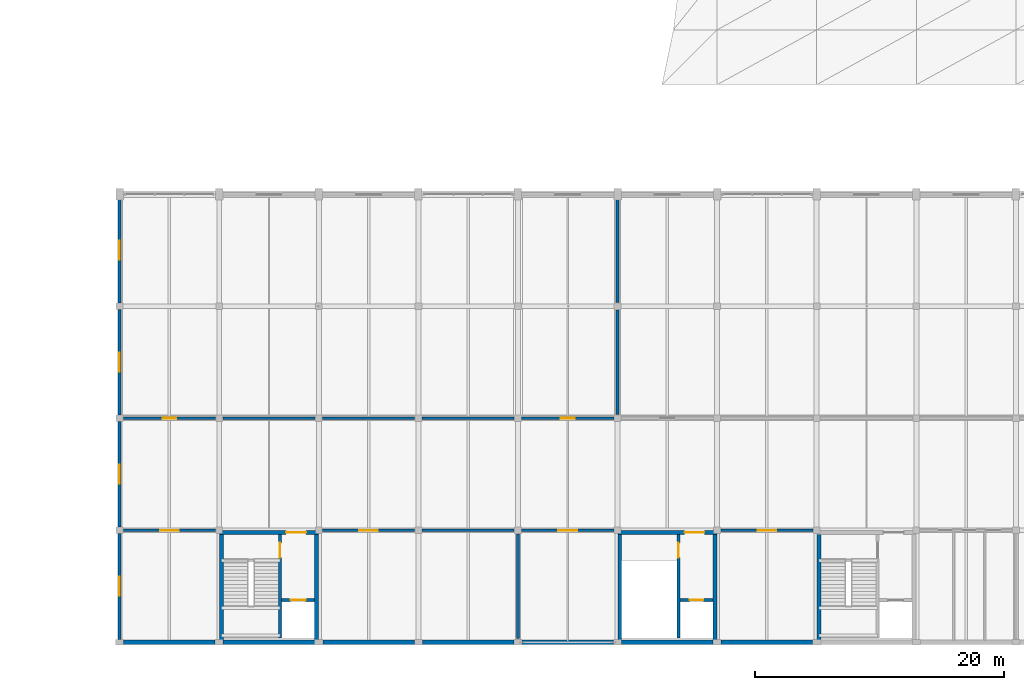
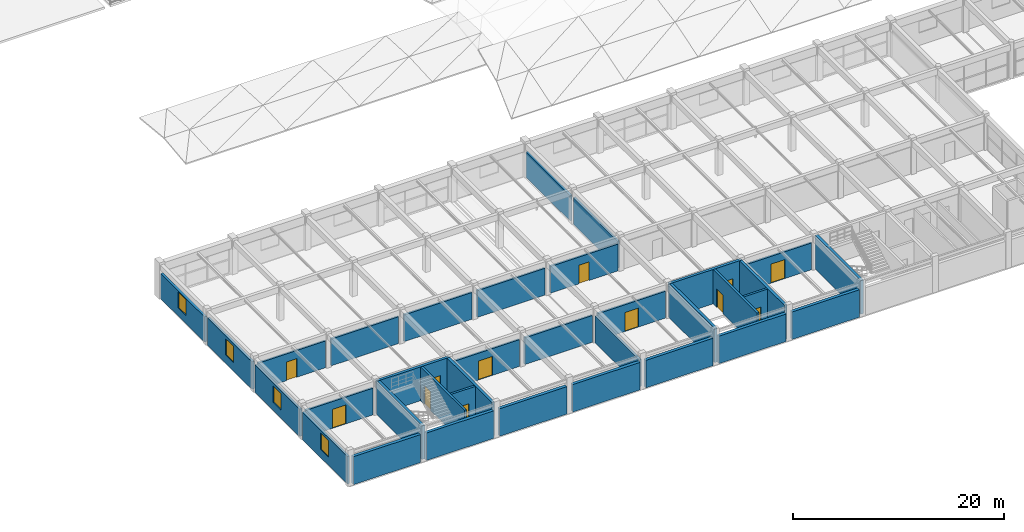
# One storey, part 43 of 63: 35 walls, 12 doors, 4 windows, 16 openings.
"""IFC4 building model written with IfcOpenShell, lengths in metres."""

from ifc_helpers import new_model, si_unit, direction, frame, frame_2d, origin, place, context, subcontext, project, spatial, rectangle, extrude, material, layer, layer_set, type_object, element, fill, save


model = new_model("IFC4")

# Units and contexts
model_context = context("Model", 3, precision=1e-05, world=origin(), true_north=direction((0.0, 1.0)))
body_context = subcontext(model_context, "Body", "Model", "MODEL_VIEW")
ifc_project = project(units=[si_unit("LENGTHUNIT", "METRE"), si_unit("AREAUNIT", "SQUARE_METRE"), si_unit("VOLUMEUNIT", "CUBIC_METRE"), si_unit("PLANEANGLEUNIT", "RADIAN"), si_unit("MASSUNIT", "GRAM", prefix="KILO")], contexts=[model_context])

# Site, building, storey
site_placement = place(None, origin())
site = spatial("IfcSite", under=ifc_project, at=site_placement, CompositionType="ELEMENT")
building_placement = place(site_placement, origin())
building = spatial("IfcBuilding", under=site, at=building_placement, Name="Varnabhumi Central Station", CompositionType="ELEMENT")
storey_placement = place(building_placement, frame((0.0, 0.0, 20.39990234375)))
storey = spatial("IfcBuildingStorey", under=building, at=storey_placement, Name="L04", CompositionType="ELEMENT", Elevation=20.39990234375)

# Wall, opening, door
ifc_material_1 = material(Name="Autoclaved aerated blockwork masonry", Category="masonry")
ifc_layer_1 = layer(ifc_material_1, 0.219970703125, Name="Autoclaved aerated blockwork masonry", Category="masonry")
ifc_layer_set_1 = layer_set([ifc_layer_1], Name="Autoclaved aerated blockwork masonry")
wall_type_1 = type_object("IfcWallType", Name="WAL-COMP-AAC-220", PredefinedType="SOLIDWALL", material=ifc_layer_set_1)
wall_1_placement = place(storey_placement, frame((32.300048828125, 18.0, 0.0), z_axis=(0.0, 0.0, 1.0), x_axis=(1.0, 0.0, 0.0)))
wall_1 = element("IfcWall", 1, at=wall_1_placement, inside=storey, type_object=wall_type_1, Name="Electronic Interlocking and Station Kavach Relay Room Corridor Partition 1", PredefinedType="SOLIDWALL", context=body_context, shape_type="SweptSolid", body=[
    extrude(rectangle(XDim=7.39990234375, YDim=0.219970703125, at=frame_2d((3.699951171875, 0.0))), origin(), (0.0, 0.0, 1.0), 3.10009765625),
])
opening_1_placement = place(wall_1_placement, frame((3.14990234375, 0.0, 0.0)))
opening_1 = element("IfcOpeningElement", 2, at=opening_1_placement, cuts=wall_1, Name="Opening FD-60", PredefinedType="OPENING", context=body_context, shape_type="SweptSolid", body=[
    extrude(rectangle(XDim=1.10009765625, YDim=2.14990234375, at=frame_2d((0.550048828125, 1.074951171875))), frame((0.0, 0.119873046875, 0.0), z_axis=(0.0, -1.0, 0.0), x_axis=(1.0, 0.0, 0.0)), (0.0, 0.0, 1.0), 0.239990234375),
])
ifc_material_2 = material(Name="Intumescent-treated hardwood timber", Category="wood")
door_type_1 = type_object("IfcDoorType", Name="DR-FIRE-60-1100", OperationType="NOTDEFINED", PredefinedType="DOOR", material=ifc_material_2)
door_1_placement = place(opening_1_placement, frame((1.10009765625, 0.0, 0.0), z_axis=(0.0, 0.0, 1.0), x_axis=(-1.0, 0.0, 0.0)))
door_1 = element("IfcDoor", 3, at=door_1_placement, inside=storey, type_object=door_type_1, Name="Electronic Interlocking and Station Kavach Relay Room Door 1", OperationType="SINGLE_SWING_RIGHT", OverallHeight=2.14990234375, OverallWidth=1.10009765625, PredefinedType="DOOR", context=body_context, shape_type="SweptSolid", body=[
    extrude(rectangle(XDim=1.10009765625, YDim=2.14990234375, at=frame_2d((0.550048828125, 1.074951171875))), frame((0.0, 0.02490234375, 0.0), z_axis=(0.0, -1.0, 0.0), x_axis=(1.0, 0.0, 0.0)), (0.0, 0.0, 1.0), 0.050048828125),
])
fill(opening_1, door_1)

# Walls
for number, where, z_axis, x_axis, name in (
    (4, (40.300048828125, 18.0, 0.0), (0.0, 0.0, 1.0), (1.0, 0.0, 0.0), "Electronic Interlocking and Station Kavach Relay Room Corridor Partition 2"),
    (5, (48.300048828125, 18.0, 0.0), (0.0, 0.0, 1.0), (1.0, 0.0, 0.0), "Electronic Interlocking and Station Kavach Relay Room Corridor Partition 3"),
    (6, (56.300048828125, 18.0, 0.0), (0.0, 0.0, 1.0), (1.0, 0.0, 0.0), "Electronic Interlocking and Station Kavach Relay Room Corridor Partition 4"),
):
    element("IfcWall", number, at=place(storey_placement, frame(where, z_axis=z_axis, x_axis=x_axis)), inside=storey, type_object=wall_type_1, Name=name, PredefinedType="SOLIDWALL", context=body_context, shape_type="SweptSolid", body=[
        extrude(rectangle(XDim=7.39990234375, YDim=0.219970703125, at=frame_2d((3.699951171875, 0.0))), origin(), (0.0, 0.0, 1.0), 3.10009765625),
    ])

# Wall, opening, door
wall_2_placement = place(storey_placement, frame((64.300048828125, 18.0, 0.0), z_axis=(0.0, 0.0, 1.0), x_axis=(1.0, 0.0, 0.0)))
wall_2 = element("IfcWall", 7, at=wall_2_placement, inside=storey, type_object=wall_type_1, Name="Electronic Interlocking and Station Kavach Relay Room Corridor Partition 5", PredefinedType="SOLIDWALL", context=body_context, shape_type="SweptSolid", body=[
    extrude(rectangle(XDim=7.39990234375, YDim=0.219970703125, at=frame_2d((3.699951171875, 0.0))), origin(), (0.0, 0.0, 1.0), 3.10009765625),
])
opening_2_placement = place(wall_2_placement, frame((3.14990234375, 0.0, 0.0)))
opening_2 = element("IfcOpeningElement", 8, at=opening_2_placement, cuts=wall_2, Name="Opening FD-60", PredefinedType="OPENING", context=body_context, shape_type="SweptSolid", body=[
    extrude(rectangle(XDim=1.10009765625, YDim=2.14990234375, at=frame_2d((0.550048828125, 1.074951171875))), frame((0.0, 0.119873046875, 0.0), z_axis=(0.0, -1.0, 0.0), x_axis=(1.0, 0.0, 0.0)), (0.0, 0.0, 1.0), 0.239990234375),
])
door_2_placement = place(opening_2_placement, frame((1.10009765625, 0.0, 0.0), z_axis=(0.0, 0.0, 1.0), x_axis=(-1.0, 0.0, 0.0)))
door_2 = element("IfcDoor", 9, at=door_2_placement, inside=storey, type_object=door_type_1, Name="Electronic Interlocking and Station Kavach Relay Room Door 5", OperationType="SINGLE_SWING_LEFT", OverallHeight=2.14990234375, OverallWidth=1.10009765625, PredefinedType="DOOR", context=body_context, shape_type="SweptSolid", body=[
    extrude(rectangle(XDim=1.10009765625, YDim=2.14990234375, at=frame_2d((0.550048828125, 1.074951171875))), frame((0.0, 0.02490234375, 0.0), z_axis=(0.0, -1.0, 0.0), x_axis=(1.0, 0.0, 0.0)), (0.0, 0.0, 1.0), 0.050048828125),
])
fill(opening_2, door_2)

# Walls
wall_3_placement = place(storey_placement, frame((72.0, 18.300048828125, 0.0), z_axis=(0.0, 0.0, 1.0), x_axis=(0.0, 1.0, 0.0)))
element("IfcWall", 10, at=wall_3_placement, inside=storey, type_object=wall_type_1, Name="Electronic Interlocking and Station Kavach Relay Room W Partition 1", PredefinedType="SOLIDWALL", context=body_context, shape_type="SweptSolid", body=[
    extrude(rectangle(XDim=8.39990234375, YDim=0.219970703125, at=frame_2d((4.199951171875, 0.0))), origin(), (0.0, 0.0, 1.0), 3.10009765625),
])
wall_4_placement = place(storey_placement, frame((72.0, 27.300048828125, 0.0), z_axis=(0.0, 0.0, 1.0), x_axis=(0.0, 1.0, 0.0)))
element("IfcWall", 11, at=wall_4_placement, inside=storey, type_object=wall_type_1, Name="Electronic Interlocking and Station Kavach Relay Room W Partition 2", PredefinedType="SOLIDWALL", context=body_context, shape_type="SweptSolid", body=[
    extrude(rectangle(XDim=8.39990234375, YDim=0.219970703125, at=frame_2d((4.199951171875, 0.0))), origin(), (0.0, 0.0, 1.0), 2.93017578125),
])

# Wall, opening, door
wall_5_placement = place(storey_placement, frame((32.300048828125, 9.0, 0.0), z_axis=(0.0, 0.0, 1.0), x_axis=(1.0, 0.0, 0.0)))
wall_5 = element("IfcWall", 12, at=wall_5_placement, inside=storey, type_object=wall_type_1, Name="Precision Signalling Cooling Plant Room Corridor Partition 1", PredefinedType="SOLIDWALL", context=body_context, shape_type="SweptSolid", body=[
    extrude(rectangle(XDim=7.39990234375, YDim=0.219970703125, at=frame_2d((3.699951171875, 0.0))), origin(), (0.0, 0.0, 1.0), 3.10009765625),
])
opening_3_placement = place(wall_5_placement, frame((2.949951171875, 0.0, 0.0)))
opening_3 = element("IfcOpeningElement", 13, at=opening_3_placement, cuts=wall_5, Name="Opening FD-PLT", PredefinedType="OPENING", context=body_context, shape_type="SweptSolid", body=[
    extrude(rectangle(XDim=1.5, YDim=2.199951171875, at=frame_2d((0.75, 1.10009765625))), frame((0.0, 0.119873046875, 0.0), z_axis=(0.0, -1.0, 0.0), x_axis=(1.0, 0.0, 0.0)), (0.0, 0.0, 1.0), 0.239990234375),
])
ifc_material_3 = material(Name="Stainless steel Grade 316", Category="steel")
door_type_2 = type_object("IfcDoorType", Name="DR-PLANT-1500", OperationType="NOTDEFINED", PredefinedType="DOOR", material=ifc_material_3)
door_3_placement = place(opening_3_placement, origin())
door_3 = element("IfcDoor", 14, at=door_3_placement, inside=storey, type_object=door_type_2, Name="Precision Signalling Cooling Plant Room Door 1", OperationType="SINGLE_SWING_RIGHT", OverallHeight=2.199951171875, OverallWidth=1.5, PredefinedType="DOOR", context=body_context, shape_type="SweptSolid", body=[
    extrude(rectangle(XDim=1.5, YDim=2.199951171875, at=frame_2d((0.75, 1.10009765625))), frame((0.0, 0.02490234375, 0.0), z_axis=(0.0, -1.0, 0.0), x_axis=(1.0, 0.0, 0.0)), (0.0, 0.0, 1.0), 0.050048828125),
])
fill(opening_3, door_3)

wall_6_placement = place(storey_placement, frame((80.300048828125, 9.0, 0.0), z_axis=(0.0, 0.0, 1.0), x_axis=(1.0, 0.0, 0.0)))
wall_6 = element("IfcWall", 15, at=wall_6_placement, inside=storey, type_object=wall_type_1, Name="Signalling Dual-Bus UPS and Battery Room Corridor Partition 1", PredefinedType="SOLIDWALL", context=body_context, shape_type="SweptSolid", body=[
    extrude(rectangle(XDim=7.39990234375, YDim=0.219970703125, at=frame_2d((3.699951171875, 0.0))), origin(), (0.0, 0.0, 1.0), 3.10009765625),
])
opening_4_placement = place(wall_6_placement, frame((2.949951171875, 0.0, 0.0)))
opening_4 = element("IfcOpeningElement", 16, at=opening_4_placement, cuts=wall_6, Name="Opening FD-PLT", PredefinedType="OPENING", context=body_context, shape_type="SweptSolid", body=[
    extrude(rectangle(XDim=1.5, YDim=2.199951171875, at=frame_2d((0.75, 1.10009765625))), frame((0.0, 0.119873046875, 0.0), z_axis=(0.0, -1.0, 0.0), x_axis=(1.0, 0.0, 0.0)), (0.0, 0.0, 1.0), 0.239990234375),
])
door_4_placement = place(opening_4_placement, origin())
door_4 = element("IfcDoor", 17, at=door_4_placement, inside=storey, type_object=door_type_2, Name="Signalling Dual-Bus UPS and Battery Room Door 1", OperationType="SINGLE_SWING_LEFT", OverallHeight=2.199951171875, OverallWidth=1.5, PredefinedType="DOOR", context=body_context, shape_type="SweptSolid", body=[
    extrude(rectangle(XDim=1.5, YDim=2.199951171875, at=frame_2d((0.75, 1.10009765625))), frame((0.0, 0.02490234375, 0.0), z_axis=(0.0, -1.0, 0.0), x_axis=(1.0, 0.0, 0.0)), (0.0, 0.0, 1.0), 0.050048828125),
])
fill(opening_4, door_4)

wall_7_placement = place(storey_placement, frame((48.300048828125, 9.0, 0.0), z_axis=(0.0, 0.0, 1.0), x_axis=(1.0, 0.0, 0.0)))
wall_7 = element("IfcWall", 18, at=wall_7_placement, inside=storey, type_object=wall_type_1, Name="Signalling Charger and Rectifier Room Corridor Partition 1", PredefinedType="SOLIDWALL", context=body_context, shape_type="SweptSolid", body=[
    extrude(rectangle(XDim=7.39990234375, YDim=0.219970703125, at=frame_2d((3.699951171875, 0.0))), origin(), (0.0, 0.0, 1.0), 3.10009765625),
])
opening_5_placement = place(wall_7_placement, frame((2.949951171875, 0.0, 0.0)))
opening_5 = element("IfcOpeningElement", 19, at=opening_5_placement, cuts=wall_7, Name="Opening FD-PLT", PredefinedType="OPENING", context=body_context, shape_type="SweptSolid", body=[
    extrude(rectangle(XDim=1.5, YDim=2.199951171875, at=frame_2d((0.75, 1.10009765625))), frame((0.0, 0.119873046875, 0.0), z_axis=(0.0, -1.0, 0.0), x_axis=(1.0, 0.0, 0.0)), (0.0, 0.0, 1.0), 0.239990234375),
])
door_5_placement = place(opening_5_placement, origin())
door_5 = element("IfcDoor", 20, at=door_5_placement, inside=storey, type_object=door_type_2, Name="Signalling Charger and Rectifier Room Door 1", OperationType="SINGLE_SWING_RIGHT", OverallHeight=2.199951171875, OverallWidth=1.5, PredefinedType="DOOR", context=body_context, shape_type="SweptSolid", body=[
    extrude(rectangle(XDim=1.5, YDim=2.199951171875, at=frame_2d((0.75, 1.10009765625))), frame((0.0, 0.02490234375, 0.0), z_axis=(0.0, -1.0, 0.0), x_axis=(1.0, 0.0, 0.0)), (0.0, 0.0, 1.0), 0.050048828125),
])
fill(opening_5, door_5)

# Walls
wall_8_placement = place(storey_placement, frame((56.300048828125, 9.0, 0.0), z_axis=(0.0, 0.0, 1.0), x_axis=(1.0, 0.0, 0.0)))
element("IfcWall", 21, at=wall_8_placement, inside=storey, type_object=wall_type_1, Name="Signalling Charger and Rectifier Room Corridor Partition 2", PredefinedType="SOLIDWALL", context=body_context, shape_type="SweptSolid", body=[
    extrude(rectangle(XDim=7.39990234375, YDim=0.219970703125, at=frame_2d((3.699951171875, 0.0))), origin(), (0.0, 0.0, 1.0), 3.10009765625),
])
wall_9_placement = place(storey_placement, frame((64.0, 0.300048828125, 0.0), z_axis=(0.0, 0.0, 1.0), x_axis=(0.0, 1.0, 0.0)))
element("IfcWall", 22, at=wall_9_placement, inside=storey, type_object=wall_type_1, Name="Signalling Charger and Rectifier Room W Partition 1", PredefinedType="SOLIDWALL", context=body_context, shape_type="SweptSolid", body=[
    extrude(rectangle(XDim=8.39990234375, YDim=0.219970703125, at=frame_2d((4.199951171875, 0.0))), origin(), (0.0, 0.0, 1.0), 3.10009765625),
])

# Wall, opening, door
wall_10_placement = place(storey_placement, frame((64.300048828125, 9.0, 0.0), z_axis=(0.0, 0.0, 1.0), x_axis=(1.0, 0.0, 0.0)))
wall_10 = element("IfcWall", 23, at=wall_10_placement, inside=storey, type_object=wall_type_1, Name="Signalling Static Transfer Switch Room Corridor Partition 1", PredefinedType="SOLIDWALL", context=body_context, shape_type="SweptSolid", body=[
    extrude(rectangle(XDim=7.39990234375, YDim=0.219970703125, at=frame_2d((3.699951171875, 0.0))), origin(), (0.0, 0.0, 1.0), 3.10009765625),
])
opening_6_placement = place(wall_10_placement, frame((2.949951171875, 0.0, 0.0)))
opening_6 = element("IfcOpeningElement", 24, at=opening_6_placement, cuts=wall_10, Name="Opening FD-PLT", PredefinedType="OPENING", context=body_context, shape_type="SweptSolid", body=[
    extrude(rectangle(XDim=1.5, YDim=2.199951171875, at=frame_2d((0.75, 1.10009765625))), frame((0.0, 0.119873046875, 0.0), z_axis=(0.0, -1.0, 0.0), x_axis=(1.0, 0.0, 0.0)), (0.0, 0.0, 1.0), 0.239990234375),
])
door_6_placement = place(opening_6_placement, origin())
door_6 = element("IfcDoor", 25, at=door_6_placement, inside=storey, type_object=door_type_2, Name="Signalling Static Transfer Switch Room Door 1", OperationType="SINGLE_SWING_LEFT", OverallHeight=2.199951171875, OverallWidth=1.5, PredefinedType="DOOR", context=body_context, shape_type="SweptSolid", body=[
    extrude(rectangle(XDim=1.5, YDim=2.199951171875, at=frame_2d((0.75, 1.10009765625))), frame((0.0, 0.02490234375, 0.0), z_axis=(0.0, -1.0, 0.0), x_axis=(1.0, 0.0, 0.0)), (0.0, 0.0, 1.0), 0.050048828125),
])
fill(opening_6, door_6)

# Walls
ifc_material_4 = material(Name="Concrete M40", Category="concrete")
ifc_layer_2 = layer(ifc_material_4, 0.300048828125, Name="Concrete M40", Category="concrete")
ifc_layer_set_2 = layer_set([ifc_layer_2], Name="Concrete M40")
wall_type_2 = type_object("IfcWallType", Name="WAL-CORE-RC-300", PredefinedType="SHEAR", material=ifc_layer_set_2)
for number, where, z_axis, x_axis, name in (
    (26, (40.179931640625, 0.179931640625, 0.0), (0.0, 0.0, 1.0), (0.0, 1.0, 0.0), "SC1 L04 West Shear Wall"),
    (27, (47.820068359375, 0.179931640625, 0.0), (0.0, 0.0, 1.0), (0.0, 1.0, 0.0), "SC1 L04 East Shear Wall"),
):
    element("IfcWall", number, at=place(storey_placement, frame(where, z_axis=z_axis, x_axis=x_axis)), inside=storey, type_object=wall_type_2, Name=name, PredefinedType="SHEAR", context=body_context, shape_type="SweptSolid", body=[
        extrude(rectangle(XDim=8.64013671875, YDim=0.300048828125, at=frame_2d((4.320068359375, 0.0))), origin(), (0.0, 0.0, 1.0), 3.920166015625),
    ])

# Wall, opening, door
wall_11_placement = place(storey_placement, frame((40.030029296875, 8.820068359375, 0.0), z_axis=(0.0, 0.0, 1.0), x_axis=(1.0, 0.0, 0.0)))
wall_11 = element("IfcWall", 28, at=wall_11_placement, inside=storey, type_object=wall_type_2, Name="SC1 L04 Corridor Shear Wall", PredefinedType="SHEAR", context=body_context, shape_type="SweptSolid", body=[
    extrude(rectangle(XDim=7.93994140625, YDim=0.300048828125, at=frame_2d((3.969970703125, 0.0))), origin(), (0.0, 0.0, 1.0), 3.920166015625),
])
opening_7_placement = place(wall_11_placement, frame((5.35009765625, 0.0, 0.0)))
opening_7 = element("IfcOpeningElement", 29, at=opening_7_placement, cuts=wall_11, Name="Opening FD-60D", PredefinedType="OPENING", context=body_context, shape_type="SweptSolid", body=[
    extrude(rectangle(XDim=1.60009765625, YDim=2.14990234375, at=frame_2d((0.800048828125, 1.074951171875))), frame((0.0, 0.159912109375, 0.0), z_axis=(0.0, -1.0, 0.0), x_axis=(1.0, 0.0, 0.0)), (0.0, 0.0, 1.0), 0.320068359375),
])
door_type_3 = type_object("IfcDoorType", Name="DR-FIRE-60-1600", OperationType="NOTDEFINED", PredefinedType="DOOR", material=ifc_material_2)
door_7_placement = place(opening_7_placement, origin())
door_7 = element("IfcDoor", 30, at=door_7_placement, inside=storey, type_object=door_type_3, Name="SC1 L04 Lobby Fire Door", OperationType="DOUBLE_DOOR_SINGLE_SWING", OverallHeight=2.14990234375, OverallWidth=1.60009765625, PredefinedType="DOOR", context=body_context, shape_type="SweptSolid", body=[
    extrude(rectangle(XDim=1.60009765625, YDim=2.14990234375, at=frame_2d((0.800048828125, 1.074951171875))), frame((0.0, 0.02490234375, 0.0), z_axis=(0.0, -1.0, 0.0), x_axis=(1.0, 0.0, 0.0)), (0.0, 0.0, 1.0), 0.050048828125),
])
fill(opening_7, door_7)

# Walls
wall_12_placement = place(storey_placement, frame((88.179931640625, 0.179931640625, 0.0), z_axis=(0.0, 0.0, 1.0), x_axis=(0.0, 1.0, 0.0)))
element("IfcWall", 31, at=wall_12_placement, inside=storey, type_object=wall_type_2, Name="SC2 L04 West Shear Wall", PredefinedType="SHEAR", context=body_context, shape_type="SweptSolid", body=[
    extrude(rectangle(XDim=8.64013671875, YDim=0.300048828125, at=frame_2d((4.320068359375, 0.0))), origin(), (0.0, 0.0, 1.0), 3.920166015625),
])
for number, where, z_axis, x_axis, name in (
    (32, (72.179931640625, 0.179931640625, 0.0), (0.0, 0.0, 1.0), (0.0, 1.0, 0.0), "SC4 L04 West Shear Wall"),
    (33, (79.820068359375, 0.179931640625, 0.0), (0.0, 0.0, 1.0), (0.0, 1.0, 0.0), "SC4 L04 East Shear Wall"),
):
    element("IfcWall", number, at=place(storey_placement, frame(where, z_axis=z_axis, x_axis=x_axis)), inside=storey, type_object=wall_type_2, Name=name, PredefinedType="SHEAR", context=body_context, shape_type="SweptSolid", body=[
        extrude(rectangle(XDim=8.64013671875, YDim=0.300048828125, at=frame_2d((4.320068359375, 0.0))), origin(), (0.0, 0.0, 1.0), 3.97998046875),
    ])

# Wall, opening, door
wall_13_placement = place(storey_placement, frame((72.030029296875, 8.820068359375, 0.0), z_axis=(0.0, 0.0, 1.0), x_axis=(1.0, 0.0, 0.0)))
wall_13 = element("IfcWall", 34, at=wall_13_placement, inside=storey, type_object=wall_type_2, Name="SC4 L04 Corridor Shear Wall", PredefinedType="SHEAR", context=body_context, shape_type="SweptSolid", body=[
    extrude(rectangle(XDim=7.93994140625, YDim=0.300048828125, at=frame_2d((3.969970703125, 0.0))), origin(), (0.0, 0.0, 1.0), 3.97998046875),
])
opening_8_placement = place(wall_13_placement, frame((5.35009765625, 0.0, 0.0)))
opening_8 = element("IfcOpeningElement", 35, at=opening_8_placement, cuts=wall_13, Name="Opening FD-60D", PredefinedType="OPENING", context=body_context, shape_type="SweptSolid", body=[
    extrude(rectangle(XDim=1.60009765625, YDim=2.14990234375, at=frame_2d((0.800048828125, 1.074951171875))), frame((0.0, 0.159912109375, 0.0), z_axis=(0.0, -1.0, 0.0), x_axis=(1.0, 0.0, 0.0)), (0.0, 0.0, 1.0), 0.320068359375),
])
door_8_placement = place(opening_8_placement, origin())
door_8 = element("IfcDoor", 36, at=door_8_placement, inside=storey, type_object=door_type_3, Name="SC4 L04 Lobby Fire Door", OperationType="DOUBLE_DOOR_SINGLE_SWING", OverallHeight=2.14990234375, OverallWidth=1.60009765625, PredefinedType="DOOR", context=body_context, shape_type="SweptSolid", body=[
    extrude(rectangle(XDim=1.60009765625, YDim=2.14990234375, at=frame_2d((0.800048828125, 1.074951171875))), frame((0.0, 0.02490234375, 0.0), z_axis=(0.0, -1.0, 0.0), x_axis=(1.0, 0.0, 0.0)), (0.0, 0.0, 1.0), 0.050048828125),
])
fill(opening_8, door_8)

# Wall, opening, window
ifc_layer_3 = layer(ifc_material_1, 0.260009765625, Name="Autoclaved aerated blockwork masonry", Category="masonry")
ifc_layer_set_3 = layer_set([ifc_layer_3], Name="Autoclaved aerated blockwork masonry")
wall_type_3 = type_object("IfcWallType", Name="WAL-EXT-STUCCO-260", PredefinedType="SOLIDWALL", material=ifc_layer_set_3)
wall_14_placement = place(storey_placement, frame((32.0, 0.219970703125, 0.0), z_axis=(0.0, 0.0, 1.0), x_axis=(0.0, 1.0, 0.0)))
wall_14 = element("IfcWall", 37, at=wall_14_placement, inside=storey, type_object=wall_type_3, Name="South Wing E End Wall L04-1", PredefinedType="SOLIDWALL", context=body_context, shape_type="SweptSolid", body=[
    extrude(rectangle(XDim=8.510009765625, YDim=0.260009765625, at=frame_2d((4.2548828125, 0.0))), origin(), (0.0, 0.0, 1.0), 3.18017578125),
])
opening_9_placement = place(wall_14_placement, frame((3.530029296875, 0.0, 0.949951171875)))
opening_9 = element("IfcOpeningElement", 38, at=opening_9_placement, cuts=wall_14, Name="Opening W-07", PredefinedType="OPENING", context=body_context, shape_type="SweptSolid", body=[
    extrude(rectangle(XDim=1.5, YDim=1.89990234375, at=frame_2d((0.75, 0.949951171875))), frame((0.0, 0.139892578125, 0.0), z_axis=(0.0, -1.0, 0.0), x_axis=(1.0, 0.0, 0.0)), (0.0, 0.0, 1.0), 0.280029296875),
])
ifc_material_5 = material(Name="Laminated low-E double glazing", Category="glass")
window_type = type_object("IfcWindowType", Name="WIN-OPS-1500x1900", PartitioningType="SINGLE_PANEL", PredefinedType="WINDOW", material=ifc_material_5)
window_1_placement = place(opening_9_placement, origin())
window_1 = element("IfcWindow", 39, at=window_1_placement, inside=storey, type_object=window_type, Name="South E Window L04-1", OverallHeight=1.89990234375, OverallWidth=1.5, PartitioningType="SINGLE_PANEL", PredefinedType="WINDOW", context=body_context, shape_type="SweptSolid", body=[
    extrude(rectangle(XDim=1.5, YDim=1.89990234375, at=frame_2d((0.75, 0.949951171875))), frame((0.0, 0.030029296875, 0.0), z_axis=(0.0, -1.0, 0.0), x_axis=(1.0, 0.0, 0.0)), (0.0, 0.0, 1.0), 0.06005859375),
])
fill(opening_9, window_1)

wall_15_placement = place(storey_placement, frame((32.0, 9.27001953125, 0.0), z_axis=(0.0, 0.0, 1.0), x_axis=(0.0, 1.0, 0.0)))
wall_15 = element("IfcWall", 40, at=wall_15_placement, inside=storey, type_object=wall_type_3, Name="South Wing E End Wall L04-2", PredefinedType="SOLIDWALL", context=body_context, shape_type="SweptSolid", body=[
    extrude(rectangle(XDim=8.4599609375, YDim=0.260009765625, at=frame_2d((4.22998046875, 0.0))), origin(), (0.0, 0.0, 1.0), 3.18017578125),
])
opening_10_placement = place(wall_15_placement, frame((3.47998046875, 0.0, 0.949951171875)))
opening_10 = element("IfcOpeningElement", 41, at=opening_10_placement, cuts=wall_15, Name="Opening W-07", PredefinedType="OPENING", context=body_context, shape_type="SweptSolid", body=[
    extrude(rectangle(XDim=1.5, YDim=1.89990234375, at=frame_2d((0.75, 0.949951171875))), frame((0.0, 0.139892578125, 0.0), z_axis=(0.0, -1.0, 0.0), x_axis=(1.0, 0.0, 0.0)), (0.0, 0.0, 1.0), 0.280029296875),
])
window_2_placement = place(opening_10_placement, origin())
window_2 = element("IfcWindow", 42, at=window_2_placement, inside=storey, type_object=window_type, Name="South E Window L04-2", OverallHeight=1.89990234375, OverallWidth=1.5, PartitioningType="SINGLE_PANEL", PredefinedType="WINDOW", context=body_context, shape_type="SweptSolid", body=[
    extrude(rectangle(XDim=1.5, YDim=1.89990234375, at=frame_2d((0.75, 0.949951171875))), frame((0.0, 0.030029296875, 0.0), z_axis=(0.0, -1.0, 0.0), x_axis=(1.0, 0.0, 0.0)), (0.0, 0.0, 1.0), 0.06005859375),
])
fill(opening_10, window_2)

wall_16_placement = place(storey_placement, frame((32.0, 18.27001953125, 0.0), z_axis=(0.0, 0.0, 1.0), x_axis=(0.0, 1.0, 0.0)))
wall_16 = element("IfcWall", 43, at=wall_16_placement, inside=storey, type_object=wall_type_3, Name="South Wing E End Wall L04-3", PredefinedType="SOLIDWALL", context=body_context, shape_type="SweptSolid", body=[
    extrude(rectangle(XDim=8.4599609375, YDim=0.260009765625, at=frame_2d((4.22998046875, 0.0))), origin(), (0.0, 0.0, 1.0), 3.18017578125),
])
opening_11_placement = place(wall_16_placement, frame((3.47998046875, 0.0, 0.949951171875)))
opening_11 = element("IfcOpeningElement", 44, at=opening_11_placement, cuts=wall_16, Name="Opening W-07", PredefinedType="OPENING", context=body_context, shape_type="SweptSolid", body=[
    extrude(rectangle(XDim=1.5, YDim=1.89990234375, at=frame_2d((0.75, 0.949951171875))), frame((0.0, 0.139892578125, 0.0), z_axis=(0.0, -1.0, 0.0), x_axis=(1.0, 0.0, 0.0)), (0.0, 0.0, 1.0), 0.280029296875),
])
window_3_placement = place(opening_11_placement, origin())
window_3 = element("IfcWindow", 45, at=window_3_placement, inside=storey, type_object=window_type, Name="South E Window L04-3", OverallHeight=1.89990234375, OverallWidth=1.5, PartitioningType="SINGLE_PANEL", PredefinedType="WINDOW", context=body_context, shape_type="SweptSolid", body=[
    extrude(rectangle(XDim=1.5, YDim=1.89990234375, at=frame_2d((0.75, 0.949951171875))), frame((0.0, 0.030029296875, 0.0), z_axis=(0.0, -1.0, 0.0), x_axis=(1.0, 0.0, 0.0)), (0.0, 0.0, 1.0), 0.06005859375),
])
fill(opening_11, window_3)

wall_17_placement = place(storey_placement, frame((32.0, 27.27001953125, 0.0), z_axis=(0.0, 0.0, 1.0), x_axis=(0.0, 1.0, 0.0)))
wall_17 = element("IfcWall", 46, at=wall_17_placement, inside=storey, type_object=wall_type_3, Name="South Wing E End Wall L04-4", PredefinedType="SOLIDWALL", context=body_context, shape_type="SweptSolid", body=[
    extrude(rectangle(XDim=8.330078125, YDim=0.260009765625, at=frame_2d((4.1650390625, 0.0))), origin(), (0.0, 0.0, 1.0), 2.93017578125),
])
opening_12_placement = place(wall_17_placement, frame((3.47998046875, 0.0, 0.949951171875)))
opening_12 = element("IfcOpeningElement", 47, at=opening_12_placement, cuts=wall_17, Name="Opening W-07", PredefinedType="OPENING", context=body_context, shape_type="SweptSolid", body=[
    extrude(rectangle(XDim=1.5, YDim=1.840087890625, at=frame_2d((0.75, 0.919921875))), frame((0.0, 0.139892578125, 0.0), z_axis=(0.0, -1.0, 0.0), x_axis=(1.0, 0.0, 0.0)), (0.0, 0.0, 1.0), 0.280029296875),
])
window_4_placement = place(opening_12_placement, origin())
window_4 = element("IfcWindow", 48, at=window_4_placement, inside=storey, type_object=window_type, Name="South E Window L04-4", OverallHeight=1.840087890625, OverallWidth=1.5, PartitioningType="SINGLE_PANEL", PredefinedType="WINDOW", context=body_context, shape_type="SweptSolid", body=[
    extrude(rectangle(XDim=1.5, YDim=1.840087890625, at=frame_2d((0.75, 0.919921875))), frame((0.0, 0.030029296875, 0.0), z_axis=(0.0, -1.0, 0.0), x_axis=(1.0, 0.0, 0.0)), (0.0, 0.0, 1.0), 0.06005859375),
])
fill(opening_12, window_4)

# Wall, opening, door
ifc_layer_4 = layer(ifc_material_4, 0.239990234375, Name="Concrete M40", Category="concrete")
ifc_layer_set_4 = layer_set([ifc_layer_4], Name="Concrete M40")
wall_type_4 = type_object("IfcWallType", Name="WAL-SHAFT-RC-240", PredefinedType="SHEAR", material=ifc_layer_set_4)
wall_18_placement = place(storey_placement, frame((44.89990234375, 0.35009765625, 0.0), z_axis=(0.0, 0.0, 1.0), x_axis=(0.0, 1.0, 0.0)))
wall_18 = element("IfcWall", 49, at=wall_18_placement, inside=storey, type_object=wall_type_4, Name="SC1 L04 Stair-Lobby Divider Wall", PredefinedType="SHEAR", context=body_context, shape_type="SweptSolid", body=[
    extrude(rectangle(XDim=8.2998046875, YDim=0.239990234375, at=frame_2d((4.14990234375, 0.0))), origin(), (0.0, 0.0, 1.0), 3.920166015625),
])
opening_13_placement = place(wall_18_placement, frame((6.449951171875, 0.0, 0.0)))
opening_13 = element("IfcOpeningElement", 50, at=opening_13_placement, cuts=wall_18, Name="Opening FD-120", PredefinedType="OPENING", context=body_context, shape_type="SweptSolid", body=[
    extrude(rectangle(XDim=1.199951171875, YDim=2.14990234375, at=frame_2d((0.60009765625, 1.074951171875))), frame((0.0, 0.1298828125, 0.0), z_axis=(0.0, -1.0, 0.0), x_axis=(1.0, 0.0, 0.0)), (0.0, 0.0, 1.0), 0.260009765625),
])
door_type_4 = type_object("IfcDoorType", Name="DR-FIRE-120-1200", OperationType="NOTDEFINED", PredefinedType="DOOR", material=ifc_material_3)
door_9_placement = place(opening_13_placement, frame((1.199951171875, 0.0, 0.0), z_axis=(0.0, 0.0, 1.0), x_axis=(-1.0, 0.0, 0.0)))
door_9 = element("IfcDoor", 51, at=door_9_placement, inside=storey, type_object=door_type_4, Name="ST-S1 L04 Fire Door", OperationType="SINGLE_SWING_LEFT", OverallHeight=2.14990234375, OverallWidth=1.199951171875, PredefinedType="DOOR", context=body_context, shape_type="SweptSolid", body=[
    extrude(rectangle(XDim=1.199951171875, YDim=2.14990234375, at=frame_2d((0.60009765625, 1.074951171875))), frame((0.0, 0.02490234375, 0.0), z_axis=(0.0, -1.0, 0.0), x_axis=(1.0, 0.0, 0.0)), (0.0, 0.0, 1.0), 0.050048828125),
])
fill(opening_13, door_9)

wall_19_placement = place(storey_placement, frame((45.02001953125, 3.39990234375, 0.0), z_axis=(0.0, 0.0, 1.0), x_axis=(1.0, 0.0, 0.0)))
wall_19 = element("IfcWall", 52, at=wall_19_placement, inside=storey, type_object=wall_type_4, Name="FL-1 L04 Lift Shaft Front Wall", PredefinedType="SHEAR", context=body_context, shape_type="SweptSolid", body=[
    extrude(rectangle(XDim=2.6298828125, YDim=0.239990234375, at=frame_2d((1.31494140625, 0.0))), origin(), (0.0, 0.0, 1.0), 3.920166015625),
])
opening_14_placement = place(wall_19_placement, frame((0.715087890625, 0.0, 0.0)))
opening_14 = element("IfcOpeningElement", 53, at=opening_14_placement, cuts=wall_19, Name="Opening LD-FL-1", PredefinedType="OPENING", context=body_context, shape_type="SweptSolid", body=[
    extrude(rectangle(XDim=1.199951171875, YDim=2.14990234375, at=frame_2d((0.60009765625, 1.074951171875))), frame((0.0, 0.1298828125, 0.0), z_axis=(0.0, -1.0, 0.0), x_axis=(1.0, 0.0, 0.0)), (0.0, 0.0, 1.0), 0.260009765625),
])
door_type_5 = type_object("IfcDoorType", Name="DR-LIFT-FIRE-1200", OperationType="NOTDEFINED", PredefinedType="DOOR", material=ifc_material_3)
door_10_placement = place(opening_14_placement, origin())
door_10 = element("IfcDoor", 54, at=door_10_placement, inside=storey, type_object=door_type_5, Name="Lift Landing Door FL-1 L04", OperationType="DOUBLE_DOOR_SLIDING", OverallHeight=2.14990234375, OverallWidth=1.199951171875, PredefinedType="DOOR", context=body_context, shape_type="SweptSolid", body=[
    extrude(rectangle(XDim=1.199951171875, YDim=2.14990234375, at=frame_2d((0.60009765625, 1.074951171875))), frame((0.0, 0.02490234375, 0.0), z_axis=(0.0, -1.0, 0.0), x_axis=(1.0, 0.0, 0.0)), (0.0, 0.0, 1.0), 0.050048828125),
])
fill(opening_14, door_10)

wall_20_placement = place(storey_placement, frame((76.89990234375, 0.35009765625, 0.0), z_axis=(0.0, 0.0, 1.0), x_axis=(0.0, 1.0, 0.0)))
wall_20 = element("IfcWall", 55, at=wall_20_placement, inside=storey, type_object=wall_type_4, Name="SC4 L04 Stair-Lobby Divider Wall", PredefinedType="SHEAR", context=body_context, shape_type="SweptSolid", body=[
    extrude(rectangle(XDim=8.2998046875, YDim=0.239990234375, at=frame_2d((4.14990234375, 0.0))), origin(), (0.0, 0.0, 1.0), 3.97998046875),
])
opening_15_placement = place(wall_20_placement, frame((6.449951171875, 0.0, 0.0)))
opening_15 = element("IfcOpeningElement", 56, at=opening_15_placement, cuts=wall_20, Name="Opening FD-120", PredefinedType="OPENING", context=body_context, shape_type="SweptSolid", body=[
    extrude(rectangle(XDim=1.199951171875, YDim=2.14990234375, at=frame_2d((0.60009765625, 1.074951171875))), frame((0.0, 0.1298828125, 0.0), z_axis=(0.0, -1.0, 0.0), x_axis=(1.0, 0.0, 0.0)), (0.0, 0.0, 1.0), 0.260009765625),
])
door_11_placement = place(opening_15_placement, frame((1.199951171875, 0.0, 0.0), z_axis=(0.0, 0.0, 1.0), x_axis=(-1.0, 0.0, 0.0)))
door_11 = element("IfcDoor", 57, at=door_11_placement, inside=storey, type_object=door_type_4, Name="ST-S4 L04 Fire Door", OperationType="SINGLE_SWING_LEFT", OverallHeight=2.14990234375, OverallWidth=1.199951171875, PredefinedType="DOOR", context=body_context, shape_type="SweptSolid", body=[
    extrude(rectangle(XDim=1.199951171875, YDim=2.14990234375, at=frame_2d((0.60009765625, 1.074951171875))), frame((0.0, 0.02490234375, 0.0), z_axis=(0.0, -1.0, 0.0), x_axis=(1.0, 0.0, 0.0)), (0.0, 0.0, 1.0), 0.050048828125),
])
fill(opening_15, door_11)

wall_21_placement = place(storey_placement, frame((77.02001953125, 3.39990234375, 0.0), z_axis=(0.0, 0.0, 1.0), x_axis=(1.0, 0.0, 0.0)))
wall_21 = element("IfcWall", 58, at=wall_21_placement, inside=storey, type_object=wall_type_4, Name="PL-10 L04 Lift Shaft Front Wall", PredefinedType="SHEAR", context=body_context, shape_type="SweptSolid", body=[
    extrude(rectangle(XDim=2.6298828125, YDim=0.239990234375, at=frame_2d((1.31494140625, 0.0))), origin(), (0.0, 0.0, 1.0), 3.97998046875),
])
opening_16_placement = place(wall_21_placement, frame((0.764892578125, 0.0, 0.0)))
opening_16 = element("IfcOpeningElement", 59, at=opening_16_placement, cuts=wall_21, Name="Opening LD-PL-10", PredefinedType="OPENING", context=body_context, shape_type="SweptSolid", body=[
    extrude(rectangle(XDim=1.10009765625, YDim=2.14990234375, at=frame_2d((0.550048828125, 1.074951171875))), frame((0.0, 0.1298828125, 0.0), z_axis=(0.0, -1.0, 0.0), x_axis=(1.0, 0.0, 0.0)), (0.0, 0.0, 1.0), 0.260009765625),
])
door_type_6 = type_object("IfcDoorType", Name="DR-LIFT-PASS-1100", OperationType="NOTDEFINED", PredefinedType="DOOR", material=ifc_material_3)
door_12_placement = place(opening_16_placement, origin())
door_12 = element("IfcDoor", 60, at=door_12_placement, inside=storey, type_object=door_type_6, Name="Lift Landing Door PL-10 L04", OperationType="DOUBLE_DOOR_SLIDING", OverallHeight=2.14990234375, OverallWidth=1.10009765625, PredefinedType="DOOR", context=body_context, shape_type="SweptSolid", body=[
    extrude(rectangle(XDim=1.10009765625, YDim=2.14990234375, at=frame_2d((0.550048828125, 1.074951171875))), frame((0.0, 0.02490234375, 0.0), z_axis=(0.0, -1.0, 0.0), x_axis=(1.0, 0.0, 0.0)), (0.0, 0.0, 1.0), 0.050048828125),
])
fill(opening_16, door_12)

# Walls
ifc_layer_5 = layer(ifc_material_4, 0.340087890625, Name="Concrete M40", Category="concrete")
ifc_layer_set_5 = layer_set([ifc_layer_5], Name="Concrete M40")
wall_type_5 = type_object("IfcWallType", Name="WAL-SOUTH-FIRE-340", PredefinedType="SOLIDWALL", material=ifc_layer_set_5)
wall_22_placement = place(storey_placement, frame((32.320068359375, 0.0, 0.0), z_axis=(0.0, 0.0, 1.0), x_axis=(1.0, 0.0, 0.0)))
element("IfcWall", 61, at=wall_22_placement, inside=storey, type_object=wall_type_5, Name="South Infill Boundary Fire Wall L04-1", PredefinedType="SOLIDWALL", context=body_context, shape_type="SweptSolid", body=[
    extrude(rectangle(XDim=7.35986328125, YDim=0.340087890625, at=frame_2d((3.679931640625, 0.0))), origin(), (0.0, 0.0, 1.0), 3.239990234375),
])
for number, where, z_axis, x_axis, name in (
    (62, (40.320068359375, 0.0, 0.0), (0.0, 0.0, 1.0), (1.0, 0.0, 0.0), "South Infill Boundary Fire Wall L04-2"),
    (63, (48.320068359375, 0.0, 0.0), (0.0, 0.0, 1.0), (1.0, 0.0, 0.0), "South Infill Boundary Fire Wall L04-3"),
    (64, (56.320068359375, 0.0, 0.0), (0.0, 0.0, 1.0), (1.0, 0.0, 0.0), "South Infill Boundary Fire Wall L04-4"),
    (65, (64.320068359375, 0.0, 0.0), (0.0, 0.0, 1.0), (1.0, 0.0, 0.0), "South Infill Boundary Fire Wall L04-5"),
    (66, (72.320068359375, 0.0, 0.0), (0.0, 0.0, 1.0), (1.0, 0.0, 0.0), "South Infill Boundary Fire Wall L04-6"),
    (67, (80.320068359375, 0.0, 0.0), (0.0, 0.0, 1.0), (1.0, 0.0, 0.0), "South Infill Boundary Fire Wall L04-7"),
):
    element("IfcWall", number, at=place(storey_placement, frame(where, z_axis=z_axis, x_axis=x_axis)), inside=storey, type_object=wall_type_5, Name=name, PredefinedType="SOLIDWALL", context=body_context, shape_type="SweptSolid", body=[
        extrude(rectangle(XDim=7.35986328125, YDim=0.340087890625, at=frame_2d((3.679931640625, 0.0))), origin(), (0.0, 0.0, 1.0), 3.18017578125),
    ])

save(model, "model.ifc")
